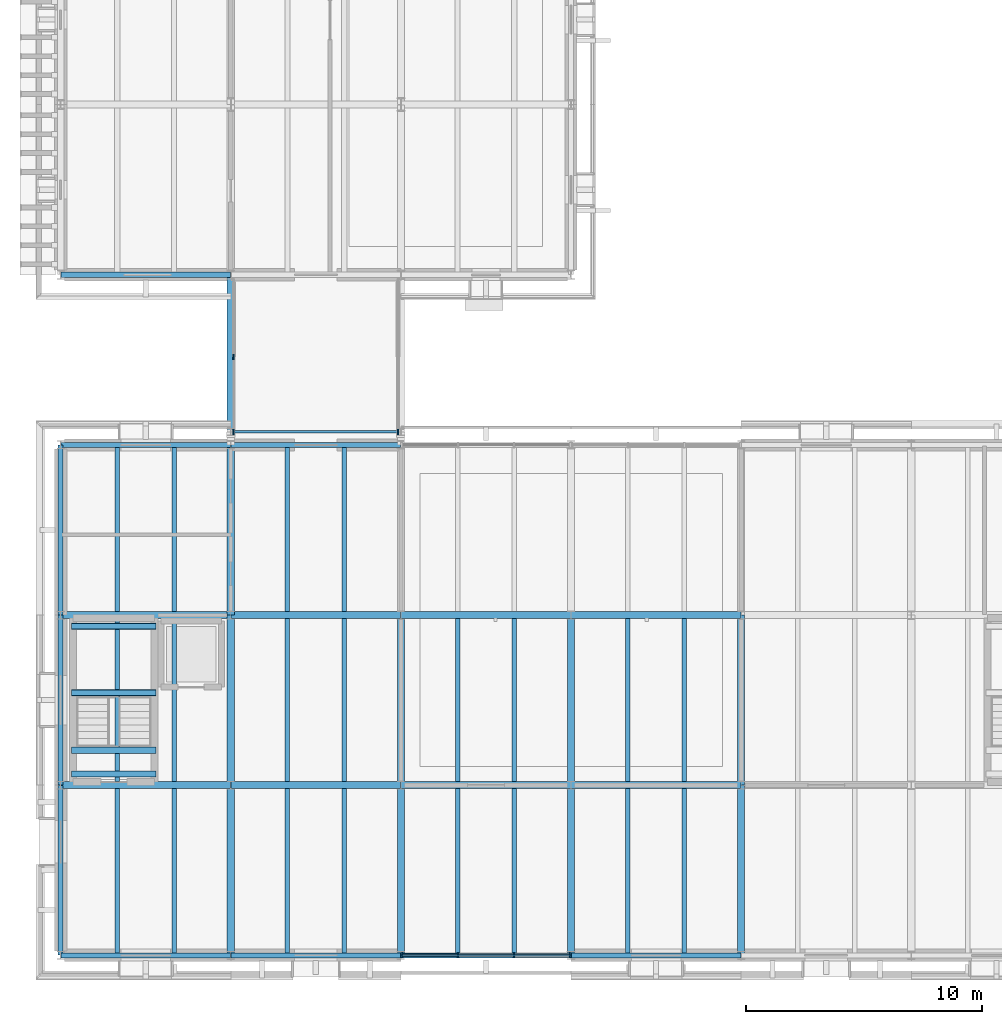
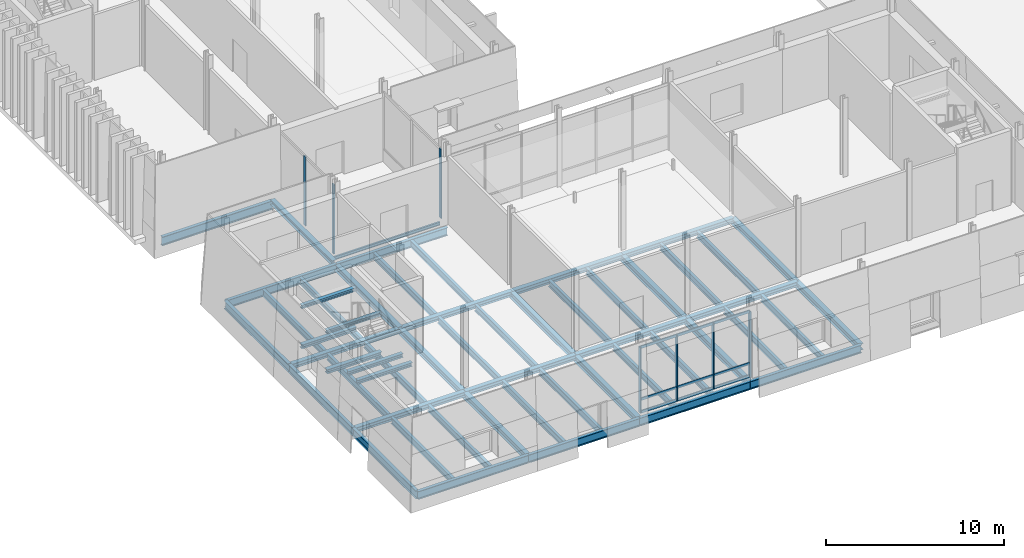
# One storey, part 21 of 120: 55 beams, 10 members, 3 elements without a shape of their own.
"""IFC4 building model written with IfcOpenShell, lengths in metres."""

from ifc_helpers import new_model, si_unit, direction, frame, origin, origin_2d, place, context, subcontext, project, spatial, rectangle, i_section, extrude, material, layer, layer_set, material_profile, profile_set, type_object, element, aggregate, save


model = new_model("IFC4")

# Units and contexts
model_context = context("Model", 3, precision=1e-05, world=origin(), true_north=direction((0.0, 1.0)))
body_context = subcontext(model_context, "Body", "Model", "MODEL_VIEW")
ifc_project = project(units=[si_unit("LENGTHUNIT", "METRE"), si_unit("AREAUNIT", "SQUARE_METRE"), si_unit("VOLUMEUNIT", "CUBIC_METRE"), si_unit("PLANEANGLEUNIT", "RADIAN"), si_unit("MASSUNIT", "GRAM", prefix="KILO")], contexts=[model_context])

# Site, building, storey
site_placement = place(None, origin())
site = spatial("IfcSite", under=ifc_project, at=site_placement, CompositionType="ELEMENT")
building_placement = place(site_placement, origin())
building = spatial("IfcBuilding", under=site, at=building_placement, Name="Narikvali Park Central Library", CompositionType="ELEMENT")
storey_placement = place(building_placement, origin())
storey = spatial("IfcBuildingStorey", under=building, at=storey_placement, Name="L00", CompositionType="ELEMENT", Elevation=0.0)

# Beams
ifc_material_1 = material(Name="Steel S355", Category="steel")
ifc_material_profile_1 = material_profile(ifc_material_1, i_section(OverallWidth=0.300048828125, OverallDepth=0.35009765625, WebThickness=0.010009765625, FlangeThickness=0.017578125, FilletRadius=0.027099609375, at=origin_2d()), Name="HEA 360")
ifc_profile_set_1 = profile_set([ifc_material_profile_1], Name="Steel S355")
beam_type_1 = type_object("IfcBeamType", Name="Bridge Sliding Girder HEA360", PredefinedType="BEAM", material=ifc_profile_set_1)
beam_1_placement = place(storey_placement, frame((7.199951171875, 21.820068359375, -0.425048828125), z_axis=(0.0, 1.0, 0.0), x_axis=(-1.0, 0.0, 0.0)))
element("IfcBeam", 1, at=beam_1_placement, inside=storey, type_object=beam_type_1, Name="BRG-5 L00 Sliding Bridge Girder 1-1", PredefinedType="BEAM", context=body_context, shape_type="SweptSolid", body=[
    extrude(i_section(OverallWidth=0.300048828125, OverallDepth=0.35009765625, WebThickness=0.010009765625, FlangeThickness=0.017578125, FilletRadius=0.027099609375, at=origin_2d()), origin(), (0.0, 0.0, 1.0), 6.969970703125),
])
ifc_material_profile_2 = material_profile(ifc_material_1, i_section(OverallWidth=0.18994140625, OverallDepth=0.449951171875, WebThickness=0.009521484375, FlangeThickness=0.0146484375, FilletRadius=0.02099609375, at=origin_2d()), Name="IPE 450")
ifc_profile_set_2 = profile_set([ifc_material_profile_2], Name="Steel S355")
beam_type_2 = type_object("IfcBeamType", Name="Composite Floor Joist IPE450", PredefinedType="JOIST", material=ifc_profile_set_2)
for number, where, z_axis, x_axis, name in (
    (2, (2.39990234375, 0.10498046875, -0.544921875), (0.0, 1.0, 0.0), (-1.0, 0.0, 0.0), "V2 L00 Composite Joist 1"),
    (3, (4.800048828125, 0.10498046875, -0.544921875), (0.0, 1.0, 0.0), (-1.0, 0.0, 0.0), "V2 L00 Composite Joist 2"),
):
    element("IfcBeam", number, at=place(storey_placement, frame(where, z_axis=z_axis, x_axis=x_axis)), inside=storey, type_object=beam_type_2, Name=name, PredefinedType="JOIST", context=body_context, shape_type="SweptSolid", body=[
        extrude(i_section(OverallWidth=0.18994140625, OverallDepth=0.449951171875, WebThickness=0.009521484375, FlangeThickness=0.0146484375, FilletRadius=0.02099609375, at=origin_2d()), origin(), (0.0, 0.0, 1.0), 6.945068359375),
    ])
for number, where, z_axis, x_axis, name in (
    (4, (2.39990234375, 7.35009765625, -0.544921875), (0.0, 1.0, 0.0), (-1.0, 0.0, 0.0), "V2 L00 Composite Joist 1"),
    (5, (4.800048828125, 7.35009765625, -0.544921875), (0.0, 1.0, 0.0), (-1.0, 0.0, 0.0), "V2 L00 Composite Joist 2"),
):
    element("IfcBeam", number, at=place(storey_placement, frame(where, z_axis=z_axis, x_axis=x_axis)), inside=storey, type_object=beam_type_2, Name=name, PredefinedType="JOIST", context=body_context, shape_type="SweptSolid", body=[
        extrude(i_section(OverallWidth=0.18994140625, OverallDepth=0.449951171875, WebThickness=0.009521484375, FlangeThickness=0.0146484375, FilletRadius=0.02099609375, at=origin_2d()), origin(), (0.0, 0.0, 1.0), 6.89990234375),
    ])
for number, where, z_axis, x_axis, name in (
    (6, (2.39990234375, 14.550048828125, -0.544921875), (0.0, 1.0, 0.0), (-1.0, 0.0, 0.0), "V2 L00 Composite Joist 1"),
    (7, (4.800048828125, 14.550048828125, -0.544921875), (0.0, 1.0, 0.0), (-1.0, 0.0, 0.0), "V2 L00 Composite Joist 2"),
    (8, (9.60009765625, 0.10498046875, -0.544921875), (0.0, 1.0, 0.0), (-1.0, 0.0, 0.0), "V2 L00 Composite Joist 1"),
    (9, (12.0, 0.10498046875, -0.544921875), (0.0, 1.0, 0.0), (-1.0, 0.0, 0.0), "V2 L00 Composite Joist 2"),
):
    element("IfcBeam", number, at=place(storey_placement, frame(where, z_axis=z_axis, x_axis=x_axis)), inside=storey, type_object=beam_type_2, Name=name, PredefinedType="JOIST", context=body_context, shape_type="SweptSolid", body=[
        extrude(i_section(OverallWidth=0.18994140625, OverallDepth=0.449951171875, WebThickness=0.009521484375, FlangeThickness=0.0146484375, FilletRadius=0.02099609375, at=origin_2d()), origin(), (0.0, 0.0, 1.0), 6.945068359375),
    ])
for number, where, z_axis, x_axis, name in (
    (10, (9.60009765625, 7.35009765625, -0.544921875), (0.0, 1.0, 0.0), (-1.0, 0.0, 0.0), "V2 L00 Composite Joist 1"),
    (11, (12.0, 7.35009765625, -0.544921875), (0.0, 1.0, 0.0), (-1.0, 0.0, 0.0), "V2 L00 Composite Joist 2"),
):
    element("IfcBeam", number, at=place(storey_placement, frame(where, z_axis=z_axis, x_axis=x_axis)), inside=storey, type_object=beam_type_2, Name=name, PredefinedType="JOIST", context=body_context, shape_type="SweptSolid", body=[
        extrude(i_section(OverallWidth=0.18994140625, OverallDepth=0.449951171875, WebThickness=0.009521484375, FlangeThickness=0.0146484375, FilletRadius=0.02099609375, at=origin_2d()), origin(), (0.0, 0.0, 1.0), 6.89990234375),
    ])
for number, where, z_axis, x_axis, name in (
    (12, (9.60009765625, 14.550048828125, -0.544921875), (0.0, 1.0, 0.0), (-1.0, 0.0, 0.0), "V2 L00 Composite Joist 1"),
    (13, (12.0, 14.550048828125, -0.544921875), (0.0, 1.0, 0.0), (-1.0, 0.0, 0.0), "V2 L00 Composite Joist 2"),
    (14, (16.800048828125, 0.10498046875, -0.544921875), (0.0, 1.0, 0.0), (-1.0, 0.0, 0.0), "V2 L00 Composite Joist 1"),
    (15, (19.199951171875, 0.10498046875, -0.544921875), (0.0, 1.0, 0.0), (-1.0, 0.0, 0.0), "V2 L00 Composite Joist 2"),
):
    element("IfcBeam", number, at=place(storey_placement, frame(where, z_axis=z_axis, x_axis=x_axis)), inside=storey, type_object=beam_type_2, Name=name, PredefinedType="JOIST", context=body_context, shape_type="SweptSolid", body=[
        extrude(i_section(OverallWidth=0.18994140625, OverallDepth=0.449951171875, WebThickness=0.009521484375, FlangeThickness=0.0146484375, FilletRadius=0.02099609375, at=origin_2d()), origin(), (0.0, 0.0, 1.0), 6.945068359375),
    ])
for number, where, z_axis, x_axis, name in (
    (16, (16.800048828125, 7.35009765625, -0.544921875), (0.0, 1.0, 0.0), (-1.0, 0.0, 0.0), "V2 L00 Composite Joist 1"),
    (17, (19.199951171875, 7.35009765625, -0.544921875), (0.0, 1.0, 0.0), (-1.0, 0.0, 0.0), "V2 L00 Composite Joist 2"),
):
    element("IfcBeam", number, at=place(storey_placement, frame(where, z_axis=z_axis, x_axis=x_axis)), inside=storey, type_object=beam_type_2, Name=name, PredefinedType="JOIST", context=body_context, shape_type="SweptSolid", body=[
        extrude(i_section(OverallWidth=0.18994140625, OverallDepth=0.449951171875, WebThickness=0.009521484375, FlangeThickness=0.0146484375, FilletRadius=0.02099609375, at=origin_2d()), origin(), (0.0, 0.0, 1.0), 6.89990234375),
    ])
for number, where, z_axis, x_axis, name in (
    (18, (24.0, 0.10498046875, -0.544921875), (0.0, 1.0, 0.0), (-1.0, 0.0, 0.0), "V2 L00 Composite Joist 1"),
    (19, (26.39990234375, 0.10498046875, -0.544921875), (0.0, 1.0, 0.0), (-1.0, 0.0, 0.0), "V2 L00 Composite Joist 2"),
):
    element("IfcBeam", number, at=place(storey_placement, frame(where, z_axis=z_axis, x_axis=x_axis)), inside=storey, type_object=beam_type_2, Name=name, PredefinedType="JOIST", context=body_context, shape_type="SweptSolid", body=[
        extrude(i_section(OverallWidth=0.18994140625, OverallDepth=0.449951171875, WebThickness=0.009521484375, FlangeThickness=0.0146484375, FilletRadius=0.02099609375, at=origin_2d()), origin(), (0.0, 0.0, 1.0), 6.945068359375),
    ])
for number, where, z_axis, x_axis, name in (
    (20, (24.0, 7.35009765625, -0.544921875), (0.0, 1.0, 0.0), (-1.0, 0.0, 0.0), "V2 L00 Composite Joist 1"),
    (21, (26.39990234375, 7.35009765625, -0.544921875), (0.0, 1.0, 0.0), (-1.0, 0.0, 0.0), "V2 L00 Composite Joist 2"),
):
    element("IfcBeam", number, at=place(storey_placement, frame(where, z_axis=z_axis, x_axis=x_axis)), inside=storey, type_object=beam_type_2, Name=name, PredefinedType="JOIST", context=body_context, shape_type="SweptSolid", body=[
        extrude(i_section(OverallWidth=0.18994140625, OverallDepth=0.449951171875, WebThickness=0.009521484375, FlangeThickness=0.0146484375, FilletRadius=0.02099609375, at=origin_2d()), origin(), (0.0, 0.0, 1.0), 6.89990234375),
    ])
ifc_material_profile_3 = material_profile(ifc_material_1, i_section(OverallWidth=0.239990234375, OverallDepth=0.239990234375, WebThickness=0.010009765625, FlangeThickness=0.01708984375, FilletRadius=0.02099609375, at=origin_2d()), Name="HEB 240")
ifc_profile_set_3 = profile_set([ifc_material_profile_3], Name="Steel S355")
beam_type_3 = type_object("IfcBeamType", Name="Core Trimmer Girder HEB240", PredefinedType="BEAM", material=ifc_profile_set_3)
for number, where, z_axis, x_axis, name in (
    (22, (0.469970703125, 11.114990234375, 3.72998046875), (1.0, 0.0, 0.0), (0.0, 1.0, 0.0), "ST-03 L00 Landing Trimmer Beam 3-1"),
    (23, (0.469970703125, 13.929931640625, 3.72998046875), (1.0, 0.0, 0.0), (0.0, 1.0, 0.0), "ST-03 L00 Landing Trimmer Beam 3-2"),
):
    element("IfcBeam", number, at=place(storey_placement, frame(where, z_axis=z_axis, x_axis=x_axis)), inside=storey, type_object=beam_type_3, Name=name, PredefinedType="BEAM", context=body_context, shape_type="SweptSolid", body=[
        extrude(i_section(OverallWidth=0.239990234375, OverallDepth=0.239990234375, WebThickness=0.010009765625, FlangeThickness=0.01708984375, FilletRadius=0.02099609375, at=origin_2d()), origin(), (0.0, 0.0, 1.0), 3.56005859375),
    ])
ifc_material_profile_4 = material_profile(ifc_material_1, i_section(OverallWidth=0.260009765625, OverallDepth=0.260009765625, WebThickness=0.010009765625, FlangeThickness=0.017578125, FilletRadius=0.02392578125, at=origin_2d()), Name="HEB 260")
ifc_profile_set_4 = profile_set([ifc_material_profile_4], Name="Steel S355")
beam_type_4 = type_object("IfcBeamType", Name="Core Trimmer Girder HEB260", PredefinedType="BEAM", material=ifc_profile_set_4)
for number, where, z_axis, x_axis, name in (
    (24, (0.469970703125, 7.669921875, 2.3701171875), (1.0, 0.0, 0.0), (0.0, 1.0, 0.0), "ST-03 L00 Landing Trimmer Beam 2-1"),
    (25, (0.469970703125, 8.679931640625, 2.3701171875), (1.0, 0.0, 0.0), (0.0, 1.0, 0.0), "ST-03 L00 Landing Trimmer Beam 2-2"),
):
    element("IfcBeam", number, at=place(storey_placement, frame(where, z_axis=z_axis, x_axis=x_axis)), inside=storey, type_object=beam_type_4, Name=name, PredefinedType="BEAM", context=body_context, shape_type="SweptSolid", body=[
        extrude(i_section(OverallWidth=0.260009765625, OverallDepth=0.260009765625, WebThickness=0.010009765625, FlangeThickness=0.017578125, FilletRadius=0.02392578125, at=origin_2d()), origin(), (0.0, 0.0, 1.0), 3.56005859375),
    ])
ifc_material_profile_5 = material_profile(ifc_material_1, i_section(OverallWidth=0.280029296875, OverallDepth=0.280029296875, WebThickness=0.010498046875, FlangeThickness=0.01806640625, FilletRadius=0.02392578125, at=origin_2d()), Name="HEB 280")
ifc_profile_set_5 = profile_set([ifc_material_profile_5], Name="Steel S355")
beam_type_5 = type_object("IfcBeamType", Name="Core Trimmer Girder HEB280", PredefinedType="BEAM", material=ifc_profile_set_5)
for number, where, z_axis, x_axis, name in (
    (26, (0.469970703125, 11.114990234375, 1.010009765625), (1.0, 0.0, 0.0), (0.0, 1.0, 0.0), "ST-03 L00 Landing Trimmer Beam 1-1"),
    (27, (0.469970703125, 13.929931640625, 1.010009765625), (1.0, 0.0, 0.0), (0.0, 1.0, 0.0), "ST-03 L00 Landing Trimmer Beam 1-2"),
):
    element("IfcBeam", number, at=place(storey_placement, frame(where, z_axis=z_axis, x_axis=x_axis)), inside=storey, type_object=beam_type_5, Name=name, PredefinedType="BEAM", context=body_context, shape_type="SweptSolid", body=[
        extrude(i_section(OverallWidth=0.280029296875, OverallDepth=0.280029296875, WebThickness=0.010498046875, FlangeThickness=0.01806640625, FilletRadius=0.02392578125, at=origin_2d()), origin(), (0.0, 0.0, 1.0), 3.56005859375),
    ])

# Curtain wall, members
ifc_material_2 = material(Name="Anodised Bronze Aluminium", Category="aluminium")
ifc_layer_1 = layer(ifc_material_2, 0.219970703125, Name="Anodised Bronze Aluminium")
ifc_layer_set_1 = layer_set([ifc_layer_1], Name="Anodised Bronze Aluminium")
curtain_wall_type_1 = type_object("IfcCurtainWallType", Name="Atrium Tall Curtain Wall System", PredefinedType="NOTDEFINED", material=ifc_layer_set_1)
curtain_wall_1_placement = place(storey_placement, origin())
curtain_wall_1 = element("IfcCurtainWall", 28, at=curtain_wall_1_placement, inside=storey, type_object=curtain_wall_type_1, Name="Atrium Tall Curtain Wall System CW-V2-L00-S-03", PredefinedType="NOTDEFINED")
ifc_material_profile_6 = material_profile(ifc_material_2, rectangle(XDim=0.074951171875, YDim=0.219970703125, at=origin_2d()), Name="CW MULLION 75x220")
ifc_profile_set_6 = profile_set([ifc_material_profile_6], Name="Anodised Bronze Aluminium")
member_type_1 = type_object("IfcMemberType", Name="Curtain Wall Heavy Mullion 75x220", PredefinedType="MULLION", material=ifc_profile_set_6)
member_1_placement = place(storey_placement, frame((14.43798828125, 0.0, -0.010009765625), z_axis=(0.0, 0.0, 1.0), x_axis=(1.0, 0.0, 0.0)))
member_1 = element("IfcMember", 29, at=member_1_placement, type_object=member_type_1, Name="CW-V2-L00-S-03 Mullion 00", PredefinedType="MULLION", context=body_context, shape_type="SweptSolid", body=[
    extrude(rectangle(XDim=0.074951171875, YDim=0.219970703125, at=origin_2d()), origin(), (0.0, 0.0, 1.0), 4.510009765625),
])
member_2_placement = place(storey_placement, frame((16.812744140625, 0.0, -0.010009765625), z_axis=(0.0, 0.0, 1.0), x_axis=(1.0, 0.0, 0.0)))
member_2 = element("IfcMember", 30, at=member_2_placement, type_object=member_type_1, Name="CW-V2-L00-S-03 Mullion 01", PredefinedType="MULLION", context=body_context, shape_type="SweptSolid", body=[
    extrude(rectangle(XDim=0.074951171875, YDim=0.219970703125, at=origin_2d()), origin(), (0.0, 0.0, 1.0), 4.510009765625),
])
member_3_placement = place(storey_placement, frame((19.187255859375, 0.0, -0.010009765625), z_axis=(0.0, 0.0, 1.0), x_axis=(1.0, 0.0, 0.0)))
member_3 = element("IfcMember", 31, at=member_3_placement, type_object=member_type_1, Name="CW-V2-L00-S-03 Mullion 02", PredefinedType="MULLION", context=body_context, shape_type="SweptSolid", body=[
    extrude(rectangle(XDim=0.074951171875, YDim=0.219970703125, at=origin_2d()), origin(), (0.0, 0.0, 1.0), 4.510009765625),
])
member_4_placement = place(storey_placement, frame((21.56201171875, 0.0, -0.010009765625), z_axis=(0.0, 0.0, 1.0), x_axis=(1.0, 0.0, 0.0)))
member_4 = element("IfcMember", 32, at=member_4_placement, type_object=member_type_1, Name="CW-V2-L00-S-03 Mullion 03", PredefinedType="MULLION", context=body_context, shape_type="SweptSolid", body=[
    extrude(rectangle(XDim=0.074951171875, YDim=0.219970703125, at=origin_2d()), origin(), (0.0, 0.0, 1.0), 4.510009765625),
])

ifc_layer_2 = layer(ifc_material_2, 0.219970703125, Name="Anodised Bronze Aluminium")
ifc_layer_set_2 = layer_set([ifc_layer_2], Name="Anodised Bronze Aluminium")
curtain_wall_type_2 = type_object("IfcCurtainWallType", Name="Bridge Covered Passage Glazing System", PredefinedType="NOTDEFINED", material=ifc_layer_set_2)
curtain_wall_2_placement = place(storey_placement, origin())
curtain_wall_2 = element("IfcCurtainWall", 33, at=curtain_wall_2_placement, inside=storey, type_object=curtain_wall_type_2, Name="Bridge Covered Passage Glazing System CW-BRG-5-L00-W1", PredefinedType="NOTDEFINED")
member_5_placement = place(storey_placement, frame((7.320068359375, 22.14990234375, -0.010009765625), z_axis=(0.0, 0.0, 1.0), x_axis=(1.0, 0.0, 0.0)))
member_5 = element("IfcMember", 34, at=member_5_placement, type_object=member_type_1, Name="CW-BRG-5-L00-W1 Mullion 00", PredefinedType="MULLION", context=body_context, shape_type="SweptSolid", body=[
    extrude(rectangle(XDim=0.074951171875, YDim=0.219970703125, at=origin_2d()), origin(), (0.0, 0.0, 1.0), 4.760009765625),
])
member_6_placement = place(storey_placement, frame((7.320068359375, 25.324951171875, -0.010009765625), z_axis=(0.0, 0.0, 1.0), x_axis=(1.0, 0.0, 0.0)))
member_6 = element("IfcMember", 35, at=member_6_placement, type_object=member_type_1, Name="CW-BRG-5-L00-W1 Mullion 01", PredefinedType="MULLION", context=body_context, shape_type="SweptSolid", body=[
    extrude(rectangle(XDim=0.074951171875, YDim=0.219970703125, at=origin_2d()), origin(), (0.0, 0.0, 1.0), 4.760009765625),
])
aggregate(curtain_wall_2, [member_5, member_6])

# Curtain wall, member
curtain_wall_3_placement = place(storey_placement, origin())
curtain_wall_3 = element("IfcCurtainWall", 36, at=curtain_wall_3_placement, inside=storey, type_object=curtain_wall_type_2, Name="Bridge Covered Passage Glazing System CW-BRG-5-L00-E1", PredefinedType="NOTDEFINED")
member_7_placement = place(storey_placement, frame((14.280029296875, 22.14990234375, -0.010009765625), z_axis=(0.0, 0.0, 1.0), x_axis=(1.0, 0.0, 0.0)))
member_7 = element("IfcMember", 37, at=member_7_placement, type_object=member_type_1, Name="CW-BRG-5-L00-E1 Mullion 00", PredefinedType="MULLION", context=body_context, shape_type="SweptSolid", body=[
    extrude(rectangle(XDim=0.074951171875, YDim=0.219970703125, at=origin_2d()), origin(), (0.0, 0.0, 1.0), 4.760009765625),
])
aggregate(curtain_wall_3, [member_7])

# Member
ifc_material_profile_7 = material_profile(ifc_material_2, rectangle(XDim=0.074951171875, YDim=0.179931640625, at=origin_2d()), Name="CW TRANSOM 75x180")
ifc_profile_set_7 = profile_set([ifc_material_profile_7], Name="Anodised Bronze Aluminium")
member_type_2 = type_object("IfcMemberType", Name="Curtain Wall Heavy Transom 75x180", PredefinedType="USERDEFINED", material=ifc_profile_set_7)
member_8_placement = place(storey_placement, frame((14.43798828125, 0.0, 0.030029296875), z_axis=(1.0, 0.0, 0.0), x_axis=(0.0, 1.0, 0.0)))
member_8 = element("IfcMember", 38, at=member_8_placement, type_object=member_type_2, Name="CW-V2-L00-S-03 Transom 00", ObjectType="TRANSOM", PredefinedType="USERDEFINED", context=body_context, shape_type="SweptSolid", body=[
    extrude(rectangle(XDim=0.074951171875, YDim=0.179931640625, at=origin_2d()), origin(), (0.0, 0.0, 1.0), 7.1240234375),
])

member_9_placement = place(storey_placement, frame((14.43798828125, 0.0, 0.89990234375), z_axis=(1.0, 0.0, 0.0), x_axis=(0.0, 1.0, 0.0)))
member_9 = element("IfcMember", 39, at=member_9_placement, type_object=member_type_2, Name="CW-V2-L00-S-03 Transom 01", ObjectType="TRANSOM", PredefinedType="USERDEFINED", context=body_context, shape_type="SweptSolid", body=[
    extrude(rectangle(XDim=0.074951171875, YDim=0.179931640625, at=origin_2d()), origin(), (0.0, 0.0, 1.0), 7.1240234375),
])

member_10_placement = place(storey_placement, frame((14.43798828125, 0.0, 4.469970703125), z_axis=(1.0, 0.0, 0.0), x_axis=(0.0, 1.0, 0.0)))
member_10 = element("IfcMember", 40, at=member_10_placement, type_object=member_type_2, Name="CW-V2-L00-S-03 Transom 02", ObjectType="TRANSOM", PredefinedType="USERDEFINED", context=body_context, shape_type="SweptSolid", body=[
    extrude(rectangle(XDim=0.074951171875, YDim=0.179931640625, at=origin_2d()), origin(), (0.0, 0.0, 1.0), 7.1240234375),
])

aggregate(curtain_wall_1, [member_1, member_2, member_3, member_4, member_8, member_9, member_10])

# Beams
ifc_material_profile_8 = material_profile(ifc_material_1, i_section(OverallWidth=0.300048828125, OverallDepth=0.340087890625, WebThickness=0.011962890625, FlangeThickness=0.021484375, FilletRadius=0.027099609375, at=origin_2d()), Name="HEB 340")
ifc_profile_set_8 = profile_set([ifc_material_profile_8], Name="Steel S355")
beam_type_6 = type_object("IfcBeamType", Name="Pavilion Interior Girder HEB340", PredefinedType="BEAM", material=ifc_profile_set_8)
beam_2_placement = place(storey_placement, frame((0.008056640625, 7.199951171875, -0.489990234375), z_axis=(1.0, 0.0, 0.0), x_axis=(0.0, 1.0, 0.0)))
element("IfcBeam", 41, at=beam_2_placement, inside=storey, type_object=beam_type_6, Name="V2 L00 Girder X", PredefinedType="BEAM", context=body_context, shape_type="SweptSolid", body=[
    extrude(i_section(OverallWidth=0.300048828125, OverallDepth=0.340087890625, WebThickness=0.011962890625, FlangeThickness=0.021484375, FilletRadius=0.027099609375, at=origin_2d()), origin(), (0.0, 0.0, 1.0), 7.183837890625),
])
for number, where, z_axis, x_axis, name in (
    (42, (7.2080078125, 7.199951171875, -0.489990234375), (1.0, 0.0, 0.0), (0.0, 1.0, 0.0), "V2 L00 Girder X"),
    (43, (14.407958984375, 7.199951171875, -0.489990234375), (1.0, 0.0, 0.0), (0.0, 1.0, 0.0), "V2 L00 Girder X"),
    (44, (21.60791015625, 7.199951171875, -0.489990234375), (1.0, 0.0, 0.0), (0.0, 1.0, 0.0), "V2 L00 Girder X"),
):
    element("IfcBeam", number, at=place(storey_placement, frame(where, z_axis=z_axis, x_axis=x_axis)), inside=storey, type_object=beam_type_6, Name=name, PredefinedType="BEAM", context=body_context, shape_type="SweptSolid", body=[
        extrude(i_section(OverallWidth=0.300048828125, OverallDepth=0.340087890625, WebThickness=0.011962890625, FlangeThickness=0.021484375, FilletRadius=0.027099609375, at=origin_2d()), origin(), (0.0, 0.0, 1.0), 7.18408203125),
    ])
ifc_material_profile_9 = material_profile(ifc_material_1, i_section(OverallWidth=0.2099609375, OverallDepth=0.550048828125, WebThickness=0.010986328125, FlangeThickness=0.01708984375, FilletRadius=0.02392578125, at=origin_2d()), Name="IPE 550")
ifc_profile_set_9 = profile_set([ifc_material_profile_9], Name="Steel S355")
beam_type_7 = type_object("IfcBeamType", Name="Perimeter Spandrel IPE550", PredefinedType="SPANDREL", material=ifc_profile_set_9)
beam_3_placement = place(storey_placement, frame((0.008056640625, 0.0, -0.594970703125), z_axis=(1.0, 0.0, 0.0), x_axis=(0.0, 1.0, 0.0)))
element("IfcBeam", 45, at=beam_3_placement, inside=storey, type_object=beam_type_7, Name="V2 L00 Girder X", PredefinedType="SPANDREL", context=body_context, shape_type="SweptSolid", body=[
    extrude(i_section(OverallWidth=0.2099609375, OverallDepth=0.550048828125, WebThickness=0.010986328125, FlangeThickness=0.01708984375, FilletRadius=0.02392578125, at=origin_2d()), origin(), (0.0, 0.0, 1.0), 7.183837890625),
])
for number, where, z_axis, x_axis, name in (
    (46, (7.2080078125, 0.0, -0.594970703125), (1.0, 0.0, 0.0), (0.0, 1.0, 0.0), "V2 L00 Girder X"),
    (47, (14.407958984375, 0.0, -0.594970703125), (1.0, 0.0, 0.0), (0.0, 1.0, 0.0), "V2 L00 Girder X"),
    (48, (21.60791015625, 0.0, -0.594970703125), (1.0, 0.0, 0.0), (0.0, 1.0, 0.0), "V2 L00 Girder X"),
):
    element("IfcBeam", number, at=place(storey_placement, frame(where, z_axis=z_axis, x_axis=x_axis)), inside=storey, type_object=beam_type_7, Name=name, PredefinedType="SPANDREL", context=body_context, shape_type="SweptSolid", body=[
        extrude(i_section(OverallWidth=0.2099609375, OverallDepth=0.550048828125, WebThickness=0.010986328125, FlangeThickness=0.01708984375, FilletRadius=0.02392578125, at=origin_2d()), origin(), (0.0, 0.0, 1.0), 7.18408203125),
    ])
beam_4_placement = place(storey_placement, frame((0.008056640625, 21.60009765625, -0.594970703125), z_axis=(1.0, 0.0, 0.0), x_axis=(0.0, 1.0, 0.0)))
element("IfcBeam", 49, at=beam_4_placement, inside=storey, type_object=beam_type_7, Name="V2 L00 Girder X", PredefinedType="SPANDREL", context=body_context, shape_type="SweptSolid", body=[
    extrude(i_section(OverallWidth=0.2099609375, OverallDepth=0.550048828125, WebThickness=0.010986328125, FlangeThickness=0.01708984375, FilletRadius=0.02392578125, at=origin_2d()), origin(), (0.0, 0.0, 1.0), 7.183837890625),
])
beam_5_placement = place(storey_placement, frame((7.2080078125, 21.60009765625, -0.594970703125), z_axis=(1.0, 0.0, 0.0), x_axis=(0.0, 1.0, 0.0)))
element("IfcBeam", 50, at=beam_5_placement, inside=storey, type_object=beam_type_7, Name="V2 L00 Girder X", PredefinedType="SPANDREL", context=body_context, shape_type="SweptSolid", body=[
    extrude(i_section(OverallWidth=0.2099609375, OverallDepth=0.550048828125, WebThickness=0.010986328125, FlangeThickness=0.01708984375, FilletRadius=0.02392578125, at=origin_2d()), origin(), (0.0, 0.0, 1.0), 7.18408203125),
])
beam_6_placement = place(storey_placement, frame((0.0, 0.008056640625, -0.594970703125), z_axis=(0.0, 1.0, 0.0), x_axis=(-1.0, 0.0, 0.0)))
element("IfcBeam", 51, at=beam_6_placement, inside=storey, type_object=beam_type_7, Name="V2 L00 Girder Y", PredefinedType="SPANDREL", context=body_context, shape_type="SweptSolid", body=[
    extrude(i_section(OverallWidth=0.2099609375, OverallDepth=0.550048828125, WebThickness=0.010986328125, FlangeThickness=0.01708984375, FilletRadius=0.02392578125, at=origin_2d()), origin(), (0.0, 0.0, 1.0), 7.183837890625),
])
for number, where, z_axis, x_axis, name in (
    (52, (0.0, 7.2080078125, -0.594970703125), (0.0, 1.0, 0.0), (-1.0, 0.0, 0.0), "V2 L00 Girder Y"),
    (53, (0.0, 14.407958984375, -0.594970703125), (0.0, 1.0, 0.0), (-1.0, 0.0, 0.0), "V2 L00 Girder Y"),
):
    element("IfcBeam", number, at=place(storey_placement, frame(where, z_axis=z_axis, x_axis=x_axis)), inside=storey, type_object=beam_type_7, Name=name, PredefinedType="SPANDREL", context=body_context, shape_type="SweptSolid", body=[
        extrude(i_section(OverallWidth=0.2099609375, OverallDepth=0.550048828125, WebThickness=0.010986328125, FlangeThickness=0.01708984375, FilletRadius=0.02392578125, at=origin_2d()), origin(), (0.0, 0.0, 1.0), 7.18408203125),
    ])
ifc_material_profile_10 = material_profile(ifc_material_1, i_section(OverallWidth=0.219970703125, OverallDepth=0.60009765625, WebThickness=0.011962890625, FlangeThickness=0.01904296875, FilletRadius=0.02392578125, at=origin_2d()), Name="IPE 600")
ifc_profile_set_10 = profile_set([ifc_material_profile_10], Name="Steel S355")
beam_type_8 = type_object("IfcBeamType", Name="Perimeter Spandrel IPE600", PredefinedType="SPANDREL", material=ifc_profile_set_10)
beam_7_placement = place(storey_placement, frame((0.008056640625, 28.800048828125, -0.6201171875), z_axis=(1.0, 0.0, 0.0), x_axis=(0.0, 1.0, 0.0)))
element("IfcBeam", 54, at=beam_7_placement, inside=storey, type_object=beam_type_8, Name="V5 L00 Girder X", PredefinedType="SPANDREL", context=body_context, shape_type="SweptSolid", body=[
    extrude(i_section(OverallWidth=0.219970703125, OverallDepth=0.60009765625, WebThickness=0.011962890625, FlangeThickness=0.01904296875, FilletRadius=0.02392578125, at=origin_2d()), origin(), (0.0, 0.0, 1.0), 7.183837890625),
])
ifc_material_profile_11 = material_profile(ifc_material_1, i_section(OverallWidth=0.110107421875, OverallDepth=0.219970703125, WebThickness=0.005859375, FlangeThickness=0.00927734375, FilletRadius=0.011962890625, at=origin_2d()), Name="IPE 220")
ifc_profile_set_11 = profile_set([ifc_material_profile_11], Name="Steel S355")
beam_type_9 = type_object("IfcBeamType", Name="Portal Steel Lintel IPE220", PredefinedType="LINTEL", material=ifc_profile_set_11)
beam_8_placement = place(storey_placement, frame((7.360107421875, 22.14990234375, -0.360107421875), z_axis=(1.0, 0.0, 0.0), x_axis=(0.0, 1.0, 0.0)))
element("IfcBeam", 55, at=beam_8_placement, inside=storey, type_object=beam_type_9, Name="BRG-5 L00 Portal Transverse Lintel", PredefinedType="LINTEL", context=body_context, shape_type="SweptSolid", body=[
    extrude(i_section(OverallWidth=0.110107421875, OverallDepth=0.219970703125, WebThickness=0.005859375, FlangeThickness=0.00927734375, FilletRadius=0.011962890625, at=origin_2d()), origin(), (0.0, 0.0, 1.0), 6.8798828125),
])
ifc_material_profile_12 = material_profile(ifc_material_1, i_section(OverallWidth=0.300048828125, OverallDepth=0.330078125, WebThickness=0.009521484375, FlangeThickness=0.0166015625, FilletRadius=0.027099609375, at=origin_2d()), Name="HEA 340")
ifc_profile_set_12 = profile_set([ifc_material_profile_12], Name="Steel S355")
beam_type_10 = type_object("IfcBeamType", Name="Primary Girder HEA340", PredefinedType="BEAM", material=ifc_profile_set_12)
beam_9_placement = place(storey_placement, frame((0.008056640625, 14.39990234375, -0.485107421875), z_axis=(1.0, 0.0, 0.0), x_axis=(0.0, 1.0, 0.0)))
element("IfcBeam", 56, at=beam_9_placement, inside=storey, type_object=beam_type_10, Name="V2 L00 Girder X", PredefinedType="BEAM", context=body_context, shape_type="SweptSolid", body=[
    extrude(i_section(OverallWidth=0.300048828125, OverallDepth=0.330078125, WebThickness=0.009521484375, FlangeThickness=0.0166015625, FilletRadius=0.027099609375, at=origin_2d()), origin(), (0.0, 0.0, 1.0), 7.183837890625),
])
for number, where, z_axis, x_axis, name in (
    (57, (7.2080078125, 14.39990234375, -0.485107421875), (1.0, 0.0, 0.0), (0.0, 1.0, 0.0), "V2 L00 Girder X"),
    (58, (14.407958984375, 14.39990234375, -0.485107421875), (1.0, 0.0, 0.0), (0.0, 1.0, 0.0), "V2 L00 Girder X"),
    (59, (21.60791015625, 14.39990234375, -0.485107421875), (1.0, 0.0, 0.0), (0.0, 1.0, 0.0), "V2 L00 Girder X"),
):
    element("IfcBeam", number, at=place(storey_placement, frame(where, z_axis=z_axis, x_axis=x_axis)), inside=storey, type_object=beam_type_10, Name=name, PredefinedType="BEAM", context=body_context, shape_type="SweptSolid", body=[
        extrude(i_section(OverallWidth=0.300048828125, OverallDepth=0.330078125, WebThickness=0.009521484375, FlangeThickness=0.0166015625, FilletRadius=0.027099609375, at=origin_2d()), origin(), (0.0, 0.0, 1.0), 7.18408203125),
    ])
ifc_material_profile_13 = material_profile(ifc_material_1, i_section(OverallWidth=0.300048828125, OverallDepth=0.43994140625, WebThickness=0.011474609375, FlangeThickness=0.02099609375, FilletRadius=0.027099609375, at=origin_2d()), Name="HEA 450")
ifc_profile_set_13 = profile_set([ifc_material_profile_13], Name="Steel S355")
beam_type_11 = type_object("IfcBeamType", Name="Primary Girder HEA450", PredefinedType="BEAM", material=ifc_profile_set_13)
beam_10_placement = place(storey_placement, frame((7.199951171875, 0.008056640625, -0.5400390625), z_axis=(0.0, 1.0, 0.0), x_axis=(-1.0, 0.0, 0.0)))
element("IfcBeam", 60, at=beam_10_placement, inside=storey, type_object=beam_type_11, Name="V2 L00 Girder Y", PredefinedType="BEAM", context=body_context, shape_type="SweptSolid", body=[
    extrude(i_section(OverallWidth=0.300048828125, OverallDepth=0.43994140625, WebThickness=0.011474609375, FlangeThickness=0.02099609375, FilletRadius=0.027099609375, at=origin_2d()), origin(), (0.0, 0.0, 1.0), 7.183837890625),
])
for number, where, z_axis, x_axis, name in (
    (61, (7.199951171875, 7.2080078125, -0.5400390625), (0.0, 1.0, 0.0), (-1.0, 0.0, 0.0), "V2 L00 Girder Y"),
    (62, (7.199951171875, 14.407958984375, -0.5400390625), (0.0, 1.0, 0.0), (-1.0, 0.0, 0.0), "V2 L00 Girder Y"),
):
    element("IfcBeam", number, at=place(storey_placement, frame(where, z_axis=z_axis, x_axis=x_axis)), inside=storey, type_object=beam_type_11, Name=name, PredefinedType="BEAM", context=body_context, shape_type="SweptSolid", body=[
        extrude(i_section(OverallWidth=0.300048828125, OverallDepth=0.43994140625, WebThickness=0.011474609375, FlangeThickness=0.02099609375, FilletRadius=0.027099609375, at=origin_2d()), origin(), (0.0, 0.0, 1.0), 7.18408203125),
    ])
beam_11_placement = place(storey_placement, frame((14.39990234375, 0.008056640625, -0.5400390625), z_axis=(0.0, 1.0, 0.0), x_axis=(-1.0, 0.0, 0.0)))
element("IfcBeam", 63, at=beam_11_placement, inside=storey, type_object=beam_type_11, Name="V2 L00 Girder Y", PredefinedType="BEAM", context=body_context, shape_type="SweptSolid", body=[
    extrude(i_section(OverallWidth=0.300048828125, OverallDepth=0.43994140625, WebThickness=0.011474609375, FlangeThickness=0.02099609375, FilletRadius=0.027099609375, at=origin_2d()), origin(), (0.0, 0.0, 1.0), 7.183837890625),
])
beam_12_placement = place(storey_placement, frame((14.39990234375, 7.2080078125, -0.5400390625), z_axis=(0.0, 1.0, 0.0), x_axis=(-1.0, 0.0, 0.0)))
element("IfcBeam", 64, at=beam_12_placement, inside=storey, type_object=beam_type_11, Name="V2 L00 Girder Y", PredefinedType="BEAM", context=body_context, shape_type="SweptSolid", body=[
    extrude(i_section(OverallWidth=0.300048828125, OverallDepth=0.43994140625, WebThickness=0.011474609375, FlangeThickness=0.02099609375, FilletRadius=0.027099609375, at=origin_2d()), origin(), (0.0, 0.0, 1.0), 7.18408203125),
])
beam_13_placement = place(storey_placement, frame((21.60009765625, 0.008056640625, -0.5400390625), z_axis=(0.0, 1.0, 0.0), x_axis=(-1.0, 0.0, 0.0)))
element("IfcBeam", 65, at=beam_13_placement, inside=storey, type_object=beam_type_11, Name="V2 L00 Girder Y", PredefinedType="BEAM", context=body_context, shape_type="SweptSolid", body=[
    extrude(i_section(OverallWidth=0.300048828125, OverallDepth=0.43994140625, WebThickness=0.011474609375, FlangeThickness=0.02099609375, FilletRadius=0.027099609375, at=origin_2d()), origin(), (0.0, 0.0, 1.0), 7.183837890625),
])
beam_14_placement = place(storey_placement, frame((21.60009765625, 7.2080078125, -0.5400390625), z_axis=(0.0, 1.0, 0.0), x_axis=(-1.0, 0.0, 0.0)))
element("IfcBeam", 66, at=beam_14_placement, inside=storey, type_object=beam_type_11, Name="V2 L00 Girder Y", PredefinedType="BEAM", context=body_context, shape_type="SweptSolid", body=[
    extrude(i_section(OverallWidth=0.300048828125, OverallDepth=0.43994140625, WebThickness=0.011474609375, FlangeThickness=0.02099609375, FilletRadius=0.027099609375, at=origin_2d()), origin(), (0.0, 0.0, 1.0), 7.18408203125),
])
beam_15_placement = place(storey_placement, frame((28.800048828125, 0.008056640625, -0.5400390625), z_axis=(0.0, 1.0, 0.0), x_axis=(-1.0, 0.0, 0.0)))
element("IfcBeam", 67, at=beam_15_placement, inside=storey, type_object=beam_type_11, Name="V2 L00 Girder Y", PredefinedType="BEAM", context=body_context, shape_type="SweptSolid", body=[
    extrude(i_section(OverallWidth=0.300048828125, OverallDepth=0.43994140625, WebThickness=0.011474609375, FlangeThickness=0.02099609375, FilletRadius=0.027099609375, at=origin_2d()), origin(), (0.0, 0.0, 1.0), 7.183837890625),
])
beam_16_placement = place(storey_placement, frame((28.800048828125, 7.2080078125, -0.5400390625), z_axis=(0.0, 1.0, 0.0), x_axis=(-1.0, 0.0, 0.0)))
element("IfcBeam", 68, at=beam_16_placement, inside=storey, type_object=beam_type_11, Name="V2 L00 Girder Y", PredefinedType="BEAM", context=body_context, shape_type="SweptSolid", body=[
    extrude(i_section(OverallWidth=0.300048828125, OverallDepth=0.43994140625, WebThickness=0.011474609375, FlangeThickness=0.02099609375, FilletRadius=0.027099609375, at=origin_2d()), origin(), (0.0, 0.0, 1.0), 7.18408203125),
])

save(model, "model.ifc")
